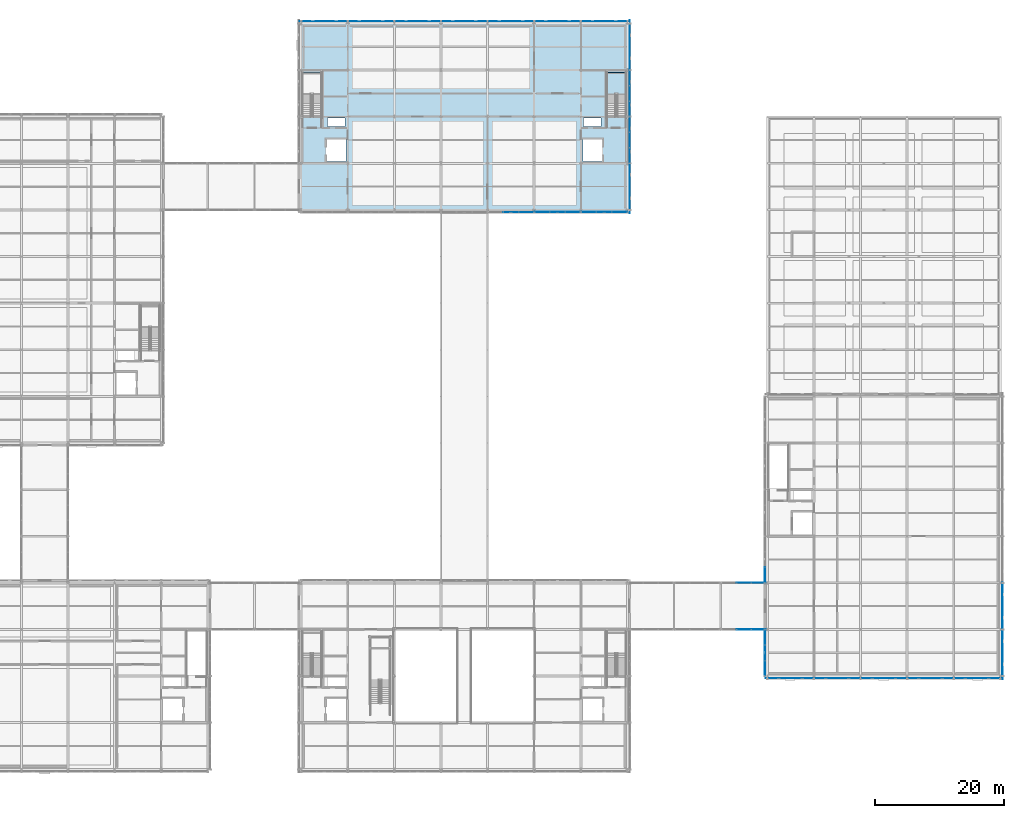
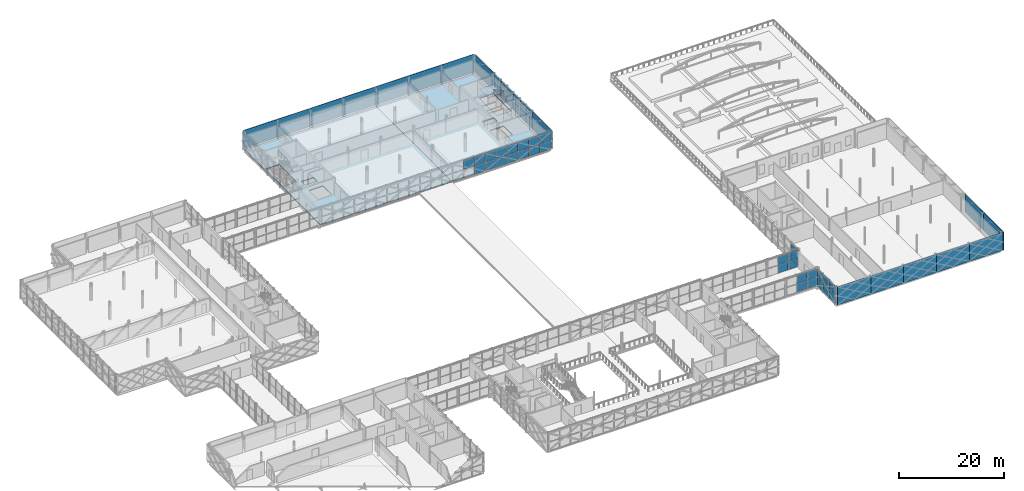
# One storey, part 81 of 126: 59 plates, 3 slabs, 10 elements without a shape of their own.
"""IFC4 building model written with IfcOpenShell, lengths in metres."""

from ifc_helpers import new_model, si_unit, direction, frame, origin, origin_2d, place, context, subcontext, project, spatial, polyline, rectangle, outline, extrude, material, layer, layer_set, type_object, element, aggregate, save


model = new_model("IFC4")

# Units and contexts
model_context = context("Model", 3, precision=1e-05, world=origin(), true_north=direction((0.0, 1.0)))
body_context = subcontext(model_context, "Body", "Model", "MODEL_VIEW")
ifc_project = project(units=[si_unit("LENGTHUNIT", "METRE"), si_unit("AREAUNIT", "SQUARE_METRE"), si_unit("VOLUMEUNIT", "CUBIC_METRE"), si_unit("PLANEANGLEUNIT", "RADIAN"), si_unit("MASSUNIT", "GRAM", prefix="KILO")], contexts=[model_context])

# Site, building, storey
site_placement = place(None, origin())
site = spatial("IfcSite", under=ifc_project, at=site_placement, CompositionType="ELEMENT")
building_placement = place(site_placement, origin())
building = spatial("IfcBuilding", under=site, at=building_placement, Name="Zlatovets Crest Museum", CompositionType="ELEMENT")
storey_placement = place(building_placement, frame((0.0, 0.0, 8.699951171875)))
storey = spatial("IfcBuildingStorey", under=building, at=storey_placement, Name="L02", CompositionType="ELEMENT", Elevation=8.699951171875)

# Curtain wall, plates
ifc_material_1 = material(Name="Bronze-anodised aluminium and low-E triple glass", Category="aluminium")
curtain_wall_type_1 = type_object("IfcCurtainWallType", Name="CW_CW-BR4-L02-S69", PredefinedType="NOTDEFINED", material=ifc_material_1)
curtain_wall_1_placement = place(storey_placement, origin())
curtain_wall_1 = element("IfcCurtainWall", 1, at=curtain_wall_1_placement, inside=storey, type_object=curtain_wall_type_1, Name="Southeast Archive Glazed Link Bridge L02 Glazed Bridge Curtain Wall", PredefinedType="NOTDEFINED")
ifc_material_2 = material(Name="Solar-control low-E laminated triple glass", Category="glass")
ifc_layer_1 = layer(ifc_material_2, 0.030029296875)
ifc_layer_set_1 = layer_set([ifc_layer_1], Name="Solar-control low-E laminated triple glass")
plate_type_1 = type_object("IfcPlateType", Name="CWPanel_CW-BR4-L02-S69", PredefinedType="CURTAIN_PANEL", material=ifc_layer_set_1)
plate_1_placement = place(storey_placement, frame((126.0, 21.60009765625, 0.06005859375), z_axis=(0.0, 0.0, 1.0), x_axis=(1.0, 0.0, 0.0)))
plate_1 = element("IfcPlate", 2, at=plate_1_placement, type_object=plate_type_1, Name="CW-BR4-L02-S69 panel 2.1", PredefinedType="CURTAIN_PANEL", context=body_context, shape_type="SweptSolid", body=[
    extrude(rectangle(XDim=2.239990234375, YDim=0.030029296875, at=origin_2d()), origin(), (0.0, 0.0, 1.0), 1.89990234375),
])
plate_2_placement = place(storey_placement, frame((126.0, 21.60009765625, 2.02001953125), z_axis=(0.0, 0.0, 1.0), x_axis=(1.0, 0.0, 0.0)))
plate_2 = element("IfcPlate", 3, at=plate_2_placement, type_object=plate_type_1, Name="CW-BR4-L02-S69 panel 2.2", PredefinedType="CURTAIN_PANEL", context=body_context, shape_type="SweptSolid", body=[
    extrude(rectangle(XDim=2.239990234375, YDim=0.030029296875, at=origin_2d()), origin(), (0.0, 0.0, 1.0), 1.89990234375),
])
plate_3_placement = place(storey_placement, frame((128.284912109375, 21.60009765625, 0.06005859375), z_axis=(0.0, 0.0, 1.0), x_axis=(1.0, 0.0, 0.0)))
plate_3 = element("IfcPlate", 4, at=plate_3_placement, type_object=plate_type_1, Name="CW-BR4-L02-S69 panel 3.1", PredefinedType="CURTAIN_PANEL", context=body_context, shape_type="SweptSolid", body=[
    extrude(rectangle(XDim=2.2099609375, YDim=0.030029296875, at=origin_2d()), origin(), (0.0, 0.0, 1.0), 1.89990234375),
])
plate_4_placement = place(storey_placement, frame((128.284912109375, 21.60009765625, 2.02001953125), z_axis=(0.0, 0.0, 1.0), x_axis=(1.0, 0.0, 0.0)))
plate_4 = element("IfcPlate", 5, at=plate_4_placement, type_object=plate_type_1, Name="CW-BR4-L02-S69 panel 3.2", PredefinedType="CURTAIN_PANEL", context=body_context, shape_type="SweptSolid", body=[
    extrude(rectangle(XDim=2.2099609375, YDim=0.030029296875, at=origin_2d()), origin(), (0.0, 0.0, 1.0), 1.89990234375),
])
aggregate(curtain_wall_1, [plate_1, plate_2, plate_3, plate_4])

curtain_wall_2_placement = place(storey_placement, origin())
curtain_wall_2 = element("IfcCurtainWall", 6, at=curtain_wall_2_placement, inside=storey, type_object=curtain_wall_type_1, Name="Southeast Archive Glazed Link Bridge L02 Glazed Bridge Curtain Wall", PredefinedType="NOTDEFINED")
plate_5_placement = place(storey_placement, frame((126.0, 28.800048828125, 0.06005859375), z_axis=(0.0, 0.0, 1.0), x_axis=(1.0, 0.0, 0.0)))
plate_5 = element("IfcPlate", 7, at=plate_5_placement, type_object=plate_type_1, Name="CW-BR4-L02-S69 panel 2.1", PredefinedType="CURTAIN_PANEL", context=body_context, shape_type="SweptSolid", body=[
    extrude(rectangle(XDim=2.239990234375, YDim=0.030029296875, at=origin_2d()), origin(), (0.0, 0.0, 1.0), 1.89990234375),
])
plate_6_placement = place(storey_placement, frame((126.0, 28.800048828125, 2.02001953125), z_axis=(0.0, 0.0, 1.0), x_axis=(1.0, 0.0, 0.0)))
plate_6 = element("IfcPlate", 8, at=plate_6_placement, type_object=plate_type_1, Name="CW-BR4-L02-S69 panel 2.2", PredefinedType="CURTAIN_PANEL", context=body_context, shape_type="SweptSolid", body=[
    extrude(rectangle(XDim=2.239990234375, YDim=0.030029296875, at=origin_2d()), origin(), (0.0, 0.0, 1.0), 1.89990234375),
])
plate_7_placement = place(storey_placement, frame((128.284912109375, 28.800048828125, 0.06005859375), z_axis=(0.0, 0.0, 1.0), x_axis=(1.0, 0.0, 0.0)))
plate_7 = element("IfcPlate", 9, at=plate_7_placement, type_object=plate_type_1, Name="CW-BR4-L02-S69 panel 3.1", PredefinedType="CURTAIN_PANEL", context=body_context, shape_type="SweptSolid", body=[
    extrude(rectangle(XDim=2.2099609375, YDim=0.030029296875, at=origin_2d()), origin(), (0.0, 0.0, 1.0), 1.89990234375),
])
plate_8_placement = place(storey_placement, frame((128.284912109375, 28.800048828125, 2.02001953125), z_axis=(0.0, 0.0, 1.0), x_axis=(1.0, 0.0, 0.0)))
plate_8 = element("IfcPlate", 10, at=plate_8_placement, type_object=plate_type_1, Name="CW-BR4-L02-S69 panel 3.2", PredefinedType="CURTAIN_PANEL", context=body_context, shape_type="SweptSolid", body=[
    extrude(rectangle(XDim=2.2099609375, YDim=0.030029296875, at=origin_2d()), origin(), (0.0, 0.0, 1.0), 1.89990234375),
])
aggregate(curtain_wall_2, [plate_5, plate_6, plate_7, plate_8])

curtain_wall_type_2 = type_object("IfcCurtainWallType", Name="CW_CW-V1-L02-M0", PredefinedType="NOTDEFINED", material=ifc_material_1)
curtain_wall_3_placement = place(storey_placement, origin())
curtain_wall_3 = element("IfcCurtainWall", 11, at=curtain_wall_3_placement, inside=storey, type_object=curtain_wall_type_2, Name="V1 L02 Secession Foyer Clear Curtain Wall", PredefinedType="NOTDEFINED")
ifc_layer_2 = layer(ifc_material_2, 0.028076171875)
ifc_layer_set_2 = layer_set([ifc_layer_2], Name="Solar-control low-E laminated triple glass")
plate_type_2 = type_object("IfcPlateType", Name="CWPanel_CW-V1-L02-M0", PredefinedType="CURTAIN_PANEL", material=ifc_layer_set_2)
plate_9_placement = place(storey_placement, frame((90.0, 86.06005859375, 2.1298828125), z_axis=(0.0, 0.0, 1.0), x_axis=(1.0, 0.0, 0.0)))
plate_9 = element("IfcPlate", 12, at=plate_9_placement, type_object=plate_type_2, Name="CW-V1-L02-M0 panel 2.2", PredefinedType="CURTAIN_PANEL", context=body_context, shape_type="SweptSolid", body=[
    extrude(rectangle(XDim=2.340087890625, YDim=0.028076171875, at=origin_2d()), origin(), (0.0, 0.0, 1.0), 2.010009765625),
])
plate_10_placement = place(storey_placement, frame((92.385009765625, 86.06005859375, 0.06005859375), z_axis=(0.0, 0.0, 1.0), x_axis=(1.0, 0.0, 0.0)))
plate_10 = element("IfcPlate", 13, at=plate_10_placement, type_object=plate_type_2, Name="CW-V1-L02-M0 panel 3.1", PredefinedType="CURTAIN_PANEL", context=body_context, shape_type="SweptSolid", body=[
    extrude(rectangle(XDim=2.31005859375, YDim=0.028076171875, at=origin_2d()), origin(), (0.0, 0.0, 1.0), 2.010009765625),
])
plate_11_placement = place(storey_placement, frame((92.385009765625, 86.06005859375, 2.1298828125), z_axis=(0.0, 0.0, 1.0), x_axis=(1.0, 0.0, 0.0)))
plate_11 = element("IfcPlate", 14, at=plate_11_placement, type_object=plate_type_2, Name="CW-V1-L02-M0 panel 3.2", PredefinedType="CURTAIN_PANEL", context=body_context, shape_type="SweptSolid", body=[
    extrude(rectangle(XDim=2.31005859375, YDim=0.028076171875, at=origin_2d()), origin(), (0.0, 0.0, 1.0), 2.010009765625),
])
aggregate(curtain_wall_3, [plate_9, plate_10, plate_11])

curtain_wall_4_placement = place(storey_placement, origin())
curtain_wall_4 = element("IfcCurtainWall", 15, at=curtain_wall_4_placement, inside=storey, type_object=curtain_wall_type_2, Name="V1 L02 Expressed Core Glazed Facade", PredefinedType="NOTDEFINED")
plate_12_placement = place(storey_placement, frame((108.340087890625, 94.81494140625, 0.06005859375), z_axis=(0.0, 0.0, 1.0), x_axis=(0.0, 1.0, 0.0)))
plate_12 = element("IfcPlate", 16, at=plate_12_placement, type_object=plate_type_2, Name="CW-V1-L02-M0 panel 1.1", PredefinedType="CURTAIN_PANEL", context=body_context, shape_type="SweptSolid", body=[
    extrude(rectangle(XDim=2.31005859375, YDim=0.030029296875, at=origin_2d()), origin(), (0.0, 0.0, 1.0), 2.010009765625),
])
plate_13_placement = place(storey_placement, frame((108.340087890625, 94.81494140625, 2.1298828125), z_axis=(0.0, 0.0, 1.0), x_axis=(0.0, 1.0, 0.0)))
plate_13 = element("IfcPlate", 17, at=plate_13_placement, type_object=plate_type_2, Name="CW-V1-L02-M0 panel 1.2", PredefinedType="CURTAIN_PANEL", context=body_context, shape_type="SweptSolid", body=[
    extrude(rectangle(XDim=2.31005859375, YDim=0.030029296875, at=origin_2d()), origin(), (0.0, 0.0, 1.0), 2.010009765625),
])
plate_14_placement = place(storey_placement, frame((108.340087890625, 97.199951171875, 0.06005859375), z_axis=(0.0, 0.0, 1.0), x_axis=(0.0, 1.0, 0.0)))
plate_14 = element("IfcPlate", 18, at=plate_14_placement, type_object=plate_type_2, Name="CW-V1-L02-M0 panel 2.1", PredefinedType="CURTAIN_PANEL", context=body_context, shape_type="SweptSolid", body=[
    extrude(rectangle(XDim=2.340087890625, YDim=0.030029296875, at=origin_2d()), origin(), (0.0, 0.0, 1.0), 2.010009765625),
])
plate_15_placement = place(storey_placement, frame((108.340087890625, 97.199951171875, 2.1298828125), z_axis=(0.0, 0.0, 1.0), x_axis=(0.0, 1.0, 0.0)))
plate_15 = element("IfcPlate", 19, at=plate_15_placement, type_object=plate_type_2, Name="CW-V1-L02-M0 panel 2.2", PredefinedType="CURTAIN_PANEL", context=body_context, shape_type="SweptSolid", body=[
    extrude(rectangle(XDim=2.340087890625, YDim=0.030029296875, at=origin_2d()), origin(), (0.0, 0.0, 1.0), 2.010009765625),
])
plate_16_placement = place(storey_placement, frame((108.340087890625, 99.5849609375, 0.06005859375), z_axis=(0.0, 0.0, 1.0), x_axis=(0.0, 1.0, 0.0)))
plate_16 = element("IfcPlate", 20, at=plate_16_placement, type_object=plate_type_2, Name="CW-V1-L02-M0 panel 3.1", PredefinedType="CURTAIN_PANEL", context=body_context, shape_type="SweptSolid", body=[
    extrude(rectangle(XDim=2.31005859375, YDim=0.030029296875, at=origin_2d()), origin(), (0.0, 0.0, 1.0), 2.010009765625),
])
plate_17_placement = place(storey_placement, frame((108.340087890625, 99.5849609375, 2.1298828125), z_axis=(0.0, 0.0, 1.0), x_axis=(0.0, 1.0, 0.0)))
plate_17 = element("IfcPlate", 21, at=plate_17_placement, type_object=plate_type_2, Name="CW-V1-L02-M0 panel 3.2", PredefinedType="CURTAIN_PANEL", context=body_context, shape_type="SweptSolid", body=[
    extrude(rectangle(XDim=2.31005859375, YDim=0.030029296875, at=origin_2d()), origin(), (0.0, 0.0, 1.0), 2.010009765625),
])
aggregate(curtain_wall_4, [plate_12, plate_13, plate_14, plate_15, plate_16, plate_17])

curtain_wall_type_3 = type_object("IfcCurtainWallType", Name="CW_CW-V1-L02-M1", PredefinedType="NOTDEFINED", material=ifc_material_1)
curtain_wall_5_placement = place(storey_placement, origin())
curtain_wall_5 = element("IfcCurtainWall", 22, at=curtain_wall_5_placement, inside=storey, type_object=curtain_wall_type_3, Name="V1 L02 Secession Foyer Clear Curtain Wall", PredefinedType="NOTDEFINED")
ifc_layer_3 = layer(ifc_material_2, 0.031982421875)
ifc_layer_set_3 = layer_set([ifc_layer_3], Name="Solar-control low-E laminated triple glass")
plate_type_3 = type_object("IfcPlateType", Name="CWPanel_CW-V1-L02-M1", PredefinedType="CURTAIN_PANEL", material=ifc_layer_set_3)
plate_18_placement = place(storey_placement, frame((94.81494140625, 86.06005859375, 0.06005859375), z_axis=(0.0, 0.0, 1.0), x_axis=(1.0, 0.0, 0.0)))
plate_18 = element("IfcPlate", 23, at=plate_18_placement, type_object=plate_type_3, Name="CW-V1-L02-M1 panel 1.1", PredefinedType="CURTAIN_PANEL", context=body_context, shape_type="SweptSolid", body=[
    extrude(rectangle(XDim=2.31005859375, YDim=0.031982421875, at=origin_2d()), origin(), (0.0, 0.0, 1.0), 2.010009765625),
])
plate_19_placement = place(storey_placement, frame((94.81494140625, 86.06005859375, 2.1298828125), z_axis=(0.0, 0.0, 1.0), x_axis=(1.0, 0.0, 0.0)))
plate_19 = element("IfcPlate", 24, at=plate_19_placement, type_object=plate_type_3, Name="CW-V1-L02-M1 panel 1.2", PredefinedType="CURTAIN_PANEL", context=body_context, shape_type="SweptSolid", body=[
    extrude(rectangle(XDim=2.31005859375, YDim=0.031982421875, at=origin_2d()), origin(), (0.0, 0.0, 1.0), 2.010009765625),
])
plate_20_placement = place(storey_placement, frame((97.199951171875, 86.06005859375, 0.06005859375), z_axis=(0.0, 0.0, 1.0), x_axis=(1.0, 0.0, 0.0)))
plate_20 = element("IfcPlate", 25, at=plate_20_placement, type_object=plate_type_3, Name="CW-V1-L02-M1 panel 2.1", PredefinedType="CURTAIN_PANEL", context=body_context, shape_type="SweptSolid", body=[
    extrude(rectangle(XDim=2.340087890625, YDim=0.031982421875, at=origin_2d()), origin(), (0.0, 0.0, 1.0), 2.010009765625),
])
plate_21_placement = place(storey_placement, frame((97.199951171875, 86.06005859375, 2.1298828125), z_axis=(0.0, 0.0, 1.0), x_axis=(1.0, 0.0, 0.0)))
plate_21 = element("IfcPlate", 26, at=plate_21_placement, type_object=plate_type_3, Name="CW-V1-L02-M1 panel 2.2", PredefinedType="CURTAIN_PANEL", context=body_context, shape_type="SweptSolid", body=[
    extrude(rectangle(XDim=2.340087890625, YDim=0.031982421875, at=origin_2d()), origin(), (0.0, 0.0, 1.0), 2.010009765625),
])
plate_22_placement = place(storey_placement, frame((99.5849609375, 86.06005859375, 0.06005859375), z_axis=(0.0, 0.0, 1.0), x_axis=(1.0, 0.0, 0.0)))
plate_22 = element("IfcPlate", 27, at=plate_22_placement, type_object=plate_type_3, Name="CW-V1-L02-M1 panel 3.1", PredefinedType="CURTAIN_PANEL", context=body_context, shape_type="SweptSolid", body=[
    extrude(rectangle(XDim=2.31005859375, YDim=0.031982421875, at=origin_2d()), origin(), (0.0, 0.0, 1.0), 2.010009765625),
])
plate_23_placement = place(storey_placement, frame((99.5849609375, 86.06005859375, 2.1298828125), z_axis=(0.0, 0.0, 1.0), x_axis=(1.0, 0.0, 0.0)))
plate_23 = element("IfcPlate", 28, at=plate_23_placement, type_object=plate_type_3, Name="CW-V1-L02-M1 panel 3.2", PredefinedType="CURTAIN_PANEL", context=body_context, shape_type="SweptSolid", body=[
    extrude(rectangle(XDim=2.31005859375, YDim=0.031982421875, at=origin_2d()), origin(), (0.0, 0.0, 1.0), 2.010009765625),
])
aggregate(curtain_wall_5, [plate_18, plate_19, plate_20, plate_21, plate_22, plate_23])

curtain_wall_6_placement = place(storey_placement, origin())
curtain_wall_6 = element("IfcCurtainWall", 29, at=curtain_wall_6_placement, inside=storey, type_object=curtain_wall_type_3, Name="V1 L02 Expressed Core Glazed Facade", PredefinedType="NOTDEFINED")
plate_24_placement = place(storey_placement, frame((108.340087890625, 102.014892578125, 0.06005859375), z_axis=(0.0, 0.0, 1.0), x_axis=(0.0, 1.0, 0.0)))
plate_24 = element("IfcPlate", 30, at=plate_24_placement, type_object=plate_type_3, Name="CW-V1-L02-M1 panel 1.1", PredefinedType="CURTAIN_PANEL", context=body_context, shape_type="SweptSolid", body=[
    extrude(rectangle(XDim=2.31005859375, YDim=0.030029296875, at=origin_2d()), origin(), (0.0, 0.0, 1.0), 2.010009765625),
])
plate_25_placement = place(storey_placement, frame((108.340087890625, 102.014892578125, 2.1298828125), z_axis=(0.0, 0.0, 1.0), x_axis=(0.0, 1.0, 0.0)))
plate_25 = element("IfcPlate", 31, at=plate_25_placement, type_object=plate_type_3, Name="CW-V1-L02-M1 panel 1.2", PredefinedType="CURTAIN_PANEL", context=body_context, shape_type="SweptSolid", body=[
    extrude(rectangle(XDim=2.31005859375, YDim=0.030029296875, at=origin_2d()), origin(), (0.0, 0.0, 1.0), 2.010009765625),
])
plate_26_placement = place(storey_placement, frame((108.340087890625, 104.39990234375, 0.06005859375), z_axis=(0.0, 0.0, 1.0), x_axis=(0.0, 1.0, 0.0)))
plate_26 = element("IfcPlate", 32, at=plate_26_placement, type_object=plate_type_3, Name="CW-V1-L02-M1 panel 2.1", PredefinedType="CURTAIN_PANEL", context=body_context, shape_type="SweptSolid", body=[
    extrude(rectangle(XDim=2.340087890625, YDim=0.030029296875, at=origin_2d()), origin(), (0.0, 0.0, 1.0), 2.010009765625),
])
plate_27_placement = place(storey_placement, frame((108.340087890625, 104.39990234375, 2.1298828125), z_axis=(0.0, 0.0, 1.0), x_axis=(0.0, 1.0, 0.0)))
plate_27 = element("IfcPlate", 33, at=plate_27_placement, type_object=plate_type_3, Name="CW-V1-L02-M1 panel 2.2", PredefinedType="CURTAIN_PANEL", context=body_context, shape_type="SweptSolid", body=[
    extrude(rectangle(XDim=2.340087890625, YDim=0.030029296875, at=origin_2d()), origin(), (0.0, 0.0, 1.0), 2.010009765625),
])
plate_28_placement = place(storey_placement, frame((108.340087890625, 106.784912109375, 0.06005859375), z_axis=(0.0, 0.0, 1.0), x_axis=(0.0, 1.0, 0.0)))
plate_28 = element("IfcPlate", 34, at=plate_28_placement, type_object=plate_type_3, Name="CW-V1-L02-M1 panel 3.1", PredefinedType="CURTAIN_PANEL", context=body_context, shape_type="SweptSolid", body=[
    extrude(rectangle(XDim=2.31005859375, YDim=0.030029296875, at=origin_2d()), origin(), (0.0, 0.0, 1.0), 2.010009765625),
])
plate_29_placement = place(storey_placement, frame((108.340087890625, 106.784912109375, 2.1298828125), z_axis=(0.0, 0.0, 1.0), x_axis=(0.0, 1.0, 0.0)))
plate_29 = element("IfcPlate", 35, at=plate_29_placement, type_object=plate_type_3, Name="CW-V1-L02-M1 panel 3.2", PredefinedType="CURTAIN_PANEL", context=body_context, shape_type="SweptSolid", body=[
    extrude(rectangle(XDim=2.31005859375, YDim=0.030029296875, at=origin_2d()), origin(), (0.0, 0.0, 1.0), 2.010009765625),
])
aggregate(curtain_wall_6, [plate_24, plate_25, plate_26, plate_27, plate_28, plate_29])

curtain_wall_type_4 = type_object("IfcCurtainWallType", Name="CW_CW-V1-L02-M2", PredefinedType="NOTDEFINED", material=ifc_material_1)
curtain_wall_7_placement = place(storey_placement, origin())
curtain_wall_7 = element("IfcCurtainWall", 36, at=curtain_wall_7_placement, inside=storey, type_object=curtain_wall_type_4, Name="V1 L02 Secession Foyer Clear Curtain Wall", PredefinedType="NOTDEFINED")
ifc_layer_4 = layer(ifc_material_2, 0.035888671875)
ifc_layer_set_4 = layer_set([ifc_layer_4], Name="Solar-control low-E laminated triple glass")
plate_type_4 = type_object("IfcPlateType", Name="CWPanel_CW-V1-L02-M2", PredefinedType="CURTAIN_PANEL", material=ifc_layer_set_4)
plate_30_placement = place(storey_placement, frame((102.014892578125, 86.06005859375, 0.06005859375), z_axis=(0.0, 0.0, 1.0), x_axis=(1.0, 0.0, 0.0)))
plate_30 = element("IfcPlate", 37, at=plate_30_placement, type_object=plate_type_4, Name="CW-V1-L02-M2 panel 1.1", PredefinedType="CURTAIN_PANEL", context=body_context, shape_type="SweptSolid", body=[
    extrude(rectangle(XDim=2.31005859375, YDim=0.035888671875, at=origin_2d()), origin(), (0.0, 0.0, 1.0), 2.010009765625),
])
plate_31_placement = place(storey_placement, frame((102.014892578125, 86.06005859375, 2.1298828125), z_axis=(0.0, 0.0, 1.0), x_axis=(1.0, 0.0, 0.0)))
plate_31 = element("IfcPlate", 38, at=plate_31_placement, type_object=plate_type_4, Name="CW-V1-L02-M2 panel 1.2", PredefinedType="CURTAIN_PANEL", context=body_context, shape_type="SweptSolid", body=[
    extrude(rectangle(XDim=2.31005859375, YDim=0.035888671875, at=origin_2d()), origin(), (0.0, 0.0, 1.0), 2.010009765625),
])
plate_32_placement = place(storey_placement, frame((104.39990234375, 86.06005859375, 0.06005859375), z_axis=(0.0, 0.0, 1.0), x_axis=(1.0, 0.0, 0.0)))
plate_32 = element("IfcPlate", 39, at=plate_32_placement, type_object=plate_type_4, Name="CW-V1-L02-M2 panel 2.1", PredefinedType="CURTAIN_PANEL", context=body_context, shape_type="SweptSolid", body=[
    extrude(rectangle(XDim=2.340087890625, YDim=0.035888671875, at=origin_2d()), origin(), (0.0, 0.0, 1.0), 2.010009765625),
])
plate_33_placement = place(storey_placement, frame((104.39990234375, 86.06005859375, 2.1298828125), z_axis=(0.0, 0.0, 1.0), x_axis=(1.0, 0.0, 0.0)))
plate_33 = element("IfcPlate", 40, at=plate_33_placement, type_object=plate_type_4, Name="CW-V1-L02-M2 panel 2.2", PredefinedType="CURTAIN_PANEL", context=body_context, shape_type="SweptSolid", body=[
    extrude(rectangle(XDim=2.340087890625, YDim=0.035888671875, at=origin_2d()), origin(), (0.0, 0.0, 1.0), 2.010009765625),
])
plate_34_placement = place(storey_placement, frame((106.784912109375, 86.06005859375, 0.06005859375), z_axis=(0.0, 0.0, 1.0), x_axis=(1.0, 0.0, 0.0)))
plate_34 = element("IfcPlate", 41, at=plate_34_placement, type_object=plate_type_4, Name="CW-V1-L02-M2 panel 3.1", PredefinedType="CURTAIN_PANEL", context=body_context, shape_type="SweptSolid", body=[
    extrude(rectangle(XDim=2.31005859375, YDim=0.035888671875, at=origin_2d()), origin(), (0.0, 0.0, 1.0), 2.010009765625),
])
plate_35_placement = place(storey_placement, frame((106.784912109375, 86.06005859375, 2.1298828125), z_axis=(0.0, 0.0, 1.0), x_axis=(1.0, 0.0, 0.0)))
plate_35 = element("IfcPlate", 42, at=plate_35_placement, type_object=plate_type_4, Name="CW-V1-L02-M2 panel 3.2", PredefinedType="CURTAIN_PANEL", context=body_context, shape_type="SweptSolid", body=[
    extrude(rectangle(XDim=2.31005859375, YDim=0.035888671875, at=origin_2d()), origin(), (0.0, 0.0, 1.0), 2.010009765625),
])
aggregate(curtain_wall_7, [plate_30, plate_31, plate_32, plate_33, plate_34, plate_35])

curtain_wall_type_5 = type_object("IfcCurtainWallType", Name="CW_CW-V5-L02-M1", PredefinedType="NOTDEFINED", material=ifc_material_1)
curtain_wall_8_placement = place(storey_placement, origin())
curtain_wall_8 = element("IfcCurtainWall", 43, at=curtain_wall_8_placement, inside=storey, type_object=curtain_wall_type_5, Name="V5 L02 Secession Foyer Clear Curtain Wall", PredefinedType="NOTDEFINED")
ifc_layer_5 = layer(ifc_material_2, 0.030029296875)
ifc_layer_set_5 = layer_set([ifc_layer_5], Name="Solar-control low-E laminated triple glass")
plate_type_5 = type_object("IfcPlateType", Name="CWPanel_CW-V5-L02-M1", PredefinedType="CURTAIN_PANEL", material=ifc_layer_set_5)
plate_36_placement = place(storey_placement, frame((129.260009765625, 20.385009765625, 0.06005859375), z_axis=(0.0, 0.0, 1.0), x_axis=(0.0, -1.0, 0.0)))
plate_36 = element("IfcPlate", 44, at=plate_36_placement, type_object=plate_type_5, Name="CW-V5-L02-M1 panel 1.1", PredefinedType="CURTAIN_PANEL", context=body_context, shape_type="SweptSolid", body=[
    extrude(rectangle(XDim=2.31005859375, YDim=0.031982421875, at=origin_2d()), origin(), (0.0, 0.0, 1.0), 2.010009765625),
])
plate_37_placement = place(storey_placement, frame((129.260009765625, 20.385009765625, 2.1298828125), z_axis=(0.0, 0.0, 1.0), x_axis=(0.0, -1.0, 0.0)))
plate_37 = element("IfcPlate", 45, at=plate_37_placement, type_object=plate_type_5, Name="CW-V5-L02-M1 panel 1.2", PredefinedType="CURTAIN_PANEL", context=body_context, shape_type="SweptSolid", body=[
    extrude(rectangle(XDim=2.31005859375, YDim=0.031982421875, at=origin_2d()), origin(), (0.0, 0.0, 1.0), 2.010009765625),
])
plate_38_placement = place(storey_placement, frame((129.260009765625, 18.0, 0.06005859375), z_axis=(0.0, 0.0, 1.0), x_axis=(0.0, -1.0, 0.0)))
plate_38 = element("IfcPlate", 46, at=plate_38_placement, type_object=plate_type_5, Name="CW-V5-L02-M1 panel 2.1", PredefinedType="CURTAIN_PANEL", context=body_context, shape_type="SweptSolid", body=[
    extrude(rectangle(XDim=2.340087890625, YDim=0.031982421875, at=origin_2d()), origin(), (0.0, 0.0, 1.0), 2.010009765625),
])
plate_39_placement = place(storey_placement, frame((129.260009765625, 18.0, 2.1298828125), z_axis=(0.0, 0.0, 1.0), x_axis=(0.0, -1.0, 0.0)))
plate_39 = element("IfcPlate", 47, at=plate_39_placement, type_object=plate_type_5, Name="CW-V5-L02-M1 panel 2.2", PredefinedType="CURTAIN_PANEL", context=body_context, shape_type="SweptSolid", body=[
    extrude(rectangle(XDim=2.340087890625, YDim=0.031982421875, at=origin_2d()), origin(), (0.0, 0.0, 1.0), 2.010009765625),
])
plate_40_placement = place(storey_placement, frame((129.260009765625, 15.614990234375, 0.06005859375), z_axis=(0.0, 0.0, 1.0), x_axis=(0.0, -1.0, 0.0)))
plate_40 = element("IfcPlate", 48, at=plate_40_placement, type_object=plate_type_5, Name="CW-V5-L02-M1 panel 3.1", PredefinedType="CURTAIN_PANEL", context=body_context, shape_type="SweptSolid", body=[
    extrude(rectangle(XDim=2.31005859375, YDim=0.031982421875, at=origin_2d()), origin(), (0.0, 0.0, 1.0), 2.010009765625),
])
plate_41_placement = place(storey_placement, frame((129.260009765625, 15.614990234375, 2.1298828125), z_axis=(0.0, 0.0, 1.0), x_axis=(0.0, -1.0, 0.0)))
plate_41 = element("IfcPlate", 49, at=plate_41_placement, type_object=plate_type_5, Name="CW-V5-L02-M1 panel 3.2", PredefinedType="CURTAIN_PANEL", context=body_context, shape_type="SweptSolid", body=[
    extrude(rectangle(XDim=2.31005859375, YDim=0.031982421875, at=origin_2d()), origin(), (0.0, 0.0, 1.0), 2.010009765625),
])
aggregate(curtain_wall_8, [plate_36, plate_37, plate_38, plate_39, plate_40, plate_41])

curtain_wall_type_6 = type_object("IfcCurtainWallType", Name="CW_CW-V5-L02-M3", PredefinedType="NOTDEFINED", material=ifc_material_1)
curtain_wall_9_placement = place(storey_placement, origin())
curtain_wall_9 = element("IfcCurtainWall", 50, at=curtain_wall_9_placement, inside=storey, type_object=curtain_wall_type_6, Name="V5 L02 Secession Foyer Clear Curtain Wall", PredefinedType="NOTDEFINED")
ifc_layer_6 = layer(ifc_material_2, 0.0400390625)
ifc_layer_set_6 = layer_set([ifc_layer_6], Name="Solar-control low-E laminated triple glass")
plate_type_6 = type_object("IfcPlateType", Name="CWPanel_CW-V5-L02-M3", PredefinedType="CURTAIN_PANEL", material=ifc_layer_set_6)
plate_42_placement = place(storey_placement, frame((129.260009765625, 30.014892578125, 0.06005859375), z_axis=(0.0, 0.0, 1.0), x_axis=(0.0, -1.0, 0.0)))
plate_42 = element("IfcPlate", 51, at=plate_42_placement, type_object=plate_type_6, Name="CW-V5-L02-M3 panel 3.1", PredefinedType="CURTAIN_PANEL", context=body_context, shape_type="SweptSolid", body=[
    extrude(rectangle(XDim=2.31005859375, YDim=0.0400390625, at=origin_2d()), origin(), (0.0, 0.0, 1.0), 2.010009765625),
])
plate_43_placement = place(storey_placement, frame((129.260009765625, 30.014892578125, 2.1298828125), z_axis=(0.0, 0.0, 1.0), x_axis=(0.0, -1.0, 0.0)))
plate_43 = element("IfcPlate", 52, at=plate_43_placement, type_object=plate_type_6, Name="CW-V5-L02-M3 panel 3.2", PredefinedType="CURTAIN_PANEL", context=body_context, shape_type="SweptSolid", body=[
    extrude(rectangle(XDim=2.31005859375, YDim=0.0400390625, at=origin_2d()), origin(), (0.0, 0.0, 1.0), 2.010009765625),
])
aggregate(curtain_wall_9, [plate_42, plate_43])

# Plates
ifc_material_3 = material(Name="Ceramic-fritted low-E laminated architectural glass", Category="glass")
ifc_layer_7 = layer(ifc_material_3, 0.031982421875)
ifc_layer_set_7 = layer_set([ifc_layer_7], Name="Ceramic-fritted low-E laminated architectural glass")
plate_type_7 = type_object("IfcPlateType", Name="GlazedSpandrel_GSP1", PredefinedType="USERDEFINED", material=ifc_layer_set_7)
for number, where, z_axis, x_axis, name in (
    (53, (108.340087890625, 89.760009765625, 0.0), (0.0, 0.0, 1.0), (0.0, 1.0, 0.0), "V1 L02 Ceramic-Fritted Gallery Glass Skin"),
    (54, (108.340087890625, 111.840087890625, 0.0), (0.0, 0.0, 1.0), (0.0, 1.0, 0.0), "V1 L02 Ceramic-Fritted Gallery Glass Skin"),
):
    element("IfcPlate", number, at=place(storey_placement, frame(where, z_axis=z_axis, x_axis=x_axis)), inside=storey, type_object=plate_type_7, Name=name, ObjectType="GLAZED_SPANDREL", PredefinedType="USERDEFINED", context=body_context, shape_type="SweptSolid", body=[
        extrude(rectangle(XDim=7.679931640625, YDim=0.031982421875, at=origin_2d()), origin(), (0.0, 0.0, 1.0), 4.199951171875),
    ])
plate_44_placement = place(storey_placement, frame((104.5, 115.5400390625, 0.0), z_axis=(0.0, 0.0, 1.0), x_axis=(1.0, 0.0, 0.0)))
element("IfcPlate", 55, at=plate_44_placement, inside=storey, type_object=plate_type_7, Name="V1 L02 Ceramic-Fritted Gallery Glass Skin", ObjectType="GLAZED_SPANDREL", PredefinedType="USERDEFINED", context=body_context, shape_type="SweptSolid", body=[
    extrude(rectangle(XDim=7.39990234375, YDim=0.031982421875, at=origin_2d()), origin(), (0.0, 0.0, 1.0), 4.199951171875),
])
for number, where, z_axis, x_axis, name in (
    (56, (97.199951171875, 115.5400390625, 0.0), (0.0, 0.0, 1.0), (1.0, 0.0, 0.0), "V1 L02 Ceramic-Fritted Gallery Glass Skin"),
    (57, (90.0, 115.5400390625, 0.0), (0.0, 0.0, 1.0), (1.0, 0.0, 0.0), "V1 L02 Ceramic-Fritted Gallery Glass Skin"),
    (58, (82.800048828125, 115.5400390625, 0.0), (0.0, 0.0, 1.0), (1.0, 0.0, 0.0), "V1 L02 Ceramic-Fritted Gallery Glass Skin"),
    (59, (75.60009765625, 115.5400390625, 0.0), (0.0, 0.0, 1.0), (1.0, 0.0, 0.0), "V1 L02 Ceramic-Fritted Gallery Glass Skin"),
    (60, (68.39990234375, 115.5400390625, 0.0), (0.0, 0.0, 1.0), (1.0, 0.0, 0.0), "V1 L02 Ceramic-Fritted Gallery Glass Skin"),
):
    element("IfcPlate", number, at=place(storey_placement, frame(where, z_axis=z_axis, x_axis=x_axis)), inside=storey, type_object=plate_type_7, Name=name, ObjectType="GLAZED_SPANDREL", PredefinedType="USERDEFINED", context=body_context, shape_type="SweptSolid", body=[
        extrude(rectangle(XDim=7.199951171875, YDim=0.031982421875, at=origin_2d()), origin(), (0.0, 0.0, 1.0), 4.199951171875),
    ])
for number, where, z_axis, x_axis, name in (
    (61, (61.10009765625, 115.5400390625, 0.0), (0.0, 0.0, 1.0), (1.0, 0.0, 0.0), "V1 L02 Ceramic-Fritted Gallery Glass Skin"),
    (62, (133.10009765625, 14.06005859375, 0.0), (0.0, 0.0, 1.0), (1.0, 0.0, 0.0), "V5 L02 Ceramic-Fritted Gallery Glass Skin"),
):
    element("IfcPlate", number, at=place(storey_placement, frame(where, z_axis=z_axis, x_axis=x_axis)), inside=storey, type_object=plate_type_7, Name=name, ObjectType="GLAZED_SPANDREL", PredefinedType="USERDEFINED", context=body_context, shape_type="SweptSolid", body=[
        extrude(rectangle(XDim=7.39990234375, YDim=0.031982421875, at=origin_2d()), origin(), (0.0, 0.0, 1.0), 4.199951171875),
    ])
for number, where, z_axis, x_axis, name in (
    (63, (140.39990234375, 14.06005859375, 0.0), (0.0, 0.0, 1.0), (1.0, 0.0, 0.0), "V5 L02 Ceramic-Fritted Gallery Glass Skin"),
    (64, (147.60009765625, 14.06005859375, 0.0), (0.0, 0.0, 1.0), (1.0, 0.0, 0.0), "V5 L02 Ceramic-Fritted Gallery Glass Skin"),
    (65, (154.800048828125, 14.06005859375, 0.0), (0.0, 0.0, 1.0), (1.0, 0.0, 0.0), "V5 L02 Ceramic-Fritted Gallery Glass Skin"),
):
    element("IfcPlate", number, at=place(storey_placement, frame(where, z_axis=z_axis, x_axis=x_axis)), inside=storey, type_object=plate_type_7, Name=name, ObjectType="GLAZED_SPANDREL", PredefinedType="USERDEFINED", context=body_context, shape_type="SweptSolid", body=[
        extrude(rectangle(XDim=7.199951171875, YDim=0.031982421875, at=origin_2d()), origin(), (0.0, 0.0, 1.0), 4.199951171875),
    ])
plate_45_placement = place(storey_placement, frame((162.10009765625, 14.06005859375, 0.0), z_axis=(0.0, 0.0, 1.0), x_axis=(1.0, 0.0, 0.0)))
element("IfcPlate", 66, at=plate_45_placement, inside=storey, type_object=plate_type_7, Name="V5 L02 Ceramic-Fritted Gallery Glass Skin", ObjectType="GLAZED_SPANDREL", PredefinedType="USERDEFINED", context=body_context, shape_type="SweptSolid", body=[
    extrude(rectangle(XDim=7.39990234375, YDim=0.031982421875, at=origin_2d()), origin(), (0.0, 0.0, 1.0), 4.199951171875),
])
plate_46_placement = place(storey_placement, frame((165.93994140625, 17.760009765625, 0.0), z_axis=(0.0, 0.0, 1.0), x_axis=(0.0, 1.0, 0.0)))
element("IfcPlate", 67, at=plate_46_placement, inside=storey, type_object=plate_type_7, Name="V5 L02 Ceramic-Fritted Gallery Glass Skin", ObjectType="GLAZED_SPANDREL", PredefinedType="USERDEFINED", context=body_context, shape_type="SweptSolid", body=[
    extrude(rectangle(XDim=7.679931640625, YDim=0.031982421875, at=origin_2d()), origin(), (0.0, 0.0, 1.0), 4.199951171875),
])
plate_47_placement = place(storey_placement, frame((165.93994140625, 25.199951171875, 0.0), z_axis=(0.0, 0.0, 1.0), x_axis=(0.0, 1.0, 0.0)))
element("IfcPlate", 68, at=plate_47_placement, inside=storey, type_object=plate_type_7, Name="V5 L02 Ceramic-Fritted Gallery Glass Skin", ObjectType="GLAZED_SPANDREL", PredefinedType="USERDEFINED", context=body_context, shape_type="SweptSolid", body=[
    extrude(rectangle(XDim=7.199951171875, YDim=0.031982421875, at=origin_2d()), origin(), (0.0, 0.0, 1.0), 4.199951171875),
])

# Slabs
ifc_material_4 = material(Name="Concrete C30/37", Category="concrete")
ifc_layer_8 = layer(ifc_material_4, 0.219970703125)
ifc_layer_set_8 = layer_set([ifc_layer_8], Name="Concrete C30/37")
slab_type_1 = type_object("IfcSlabType", Name="Slab_FS-02", PredefinedType="FLOOR", material=ifc_layer_set_8)
slab_1_placement = place(storey_placement, frame((0.0, 0.0, -0.219970703125)))
element("IfcSlab", 69, at=slab_1_placement, inside=storey, type_object=slab_type_1, Name="V1 L02 Structural Slab Panel 1", PredefinedType="FLOOR", context=body_context, shape_type="SweptSolid", body=[
    extrude(outline(polyline([(86.39990234375, 115.199951171875), (86.39990234375, 86.39990234375), (57.60009765625, 86.39990234375), (57.60009765625, 115.199951171875), (86.39990234375, 115.199951171875)]), holes=[polyline([(57.800048828125, 107.60009765625), (57.800048828125, 100.93994140625), (60.800048828125, 100.93994140625), (60.800048828125, 107.60009765625), (57.800048828125, 107.60009765625)]), polyline([(64.5, 93.89990234375), (64.5, 97.300048828125), (61.449951171875, 97.300048828125), (61.449951171875, 93.89990234375), (64.5, 93.89990234375)]), polyline([(61.699951171875, 99.25), (64.35009765625, 99.25), (64.35009765625, 100.60009765625), (61.699951171875, 100.60009765625), (61.699951171875, 99.25)])]), origin(), (0.0, 0.0, 1.0), 0.219970703125),
])
slab_2_placement = place(storey_placement, frame((0.0, 0.0, -0.219970703125)))
element("IfcSlab", 70, at=slab_2_placement, inside=storey, type_object=slab_type_1, Name="V1 L02 Structural Slab Panel 2", PredefinedType="FLOOR", context=body_context, shape_type="SweptSolid", body=[
    extrude(outline(polyline([(86.39990234375, 86.39990234375), (86.39990234375, 115.199951171875), (108.0, 115.199951171875), (108.0, 86.39990234375), (86.39990234375, 86.39990234375)]), holes=[polyline([(107.800048828125, 107.60009765625), (104.800048828125, 107.60009765625), (104.800048828125, 100.93994140625), (107.800048828125, 100.93994140625), (107.800048828125, 107.60009765625)]), polyline([(101.10009765625, 97.300048828125), (101.10009765625, 93.89990234375), (104.14990234375, 93.89990234375), (104.14990234375, 97.300048828125), (101.10009765625, 97.300048828125)]), polyline([(103.89990234375, 100.60009765625), (101.25, 100.60009765625), (101.25, 99.25), (103.89990234375, 99.25), (103.89990234375, 100.60009765625)])]), origin(), (0.0, 0.0, 1.0), 0.219970703125),
])

# Stair, slab
ifc_material_5 = material(Name="Concrete C35/45", Category="concrete")
stair_type = type_object("IfcStairType", Name="Stair_ST7-26R", PredefinedType="HALF_TURN_STAIR", material=ifc_material_5)
stair_placement = place(storey_placement, origin())
stair = element("IfcStair", 71, at=stair_placement, inside=storey, type_object=stair_type, Name="L02 Core C6 Escape Stair ST7", PredefinedType="HALF_TURN_STAIR")
ifc_layer_9 = layer(ifc_material_5, 0.199951171875)
ifc_layer_set_9 = layer_set([ifc_layer_9], Name="Concrete C35/45")
slab_type_2 = type_object("IfcSlabType", Name="StairLanding_SLD1", PredefinedType="LANDING", material=ifc_layer_set_9)
slab_3_placement = place(storey_placement, frame((0.0, 0.0, 1.900146484375)))
slab_3 = element("IfcSlab", 72, at=slab_3_placement, type_object=slab_type_2, Name="ST7 landing 1", PredefinedType="LANDING", context=body_context, shape_type="SweptSolid", body=[
    extrude(outline(polyline([(107.800048828125, 104.300048828125), (107.800048828125, 107.60009765625), (104.800048828125, 107.60009765625), (104.800048828125, 104.300048828125), (107.800048828125, 104.300048828125)])), origin(), (0.0, 0.0, 1.0), 0.199951171875),
])
aggregate(stair, [slab_3])

save(model, "model.ifc")
